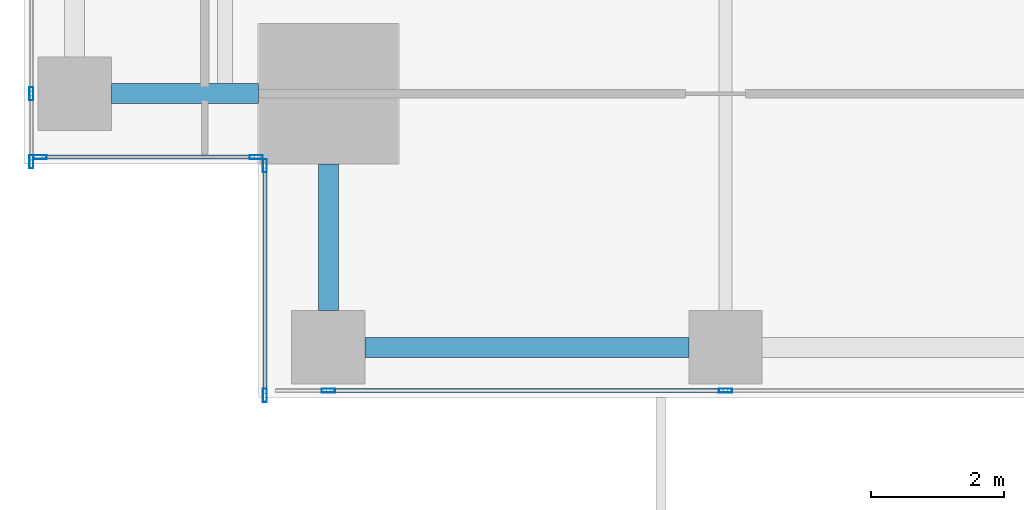
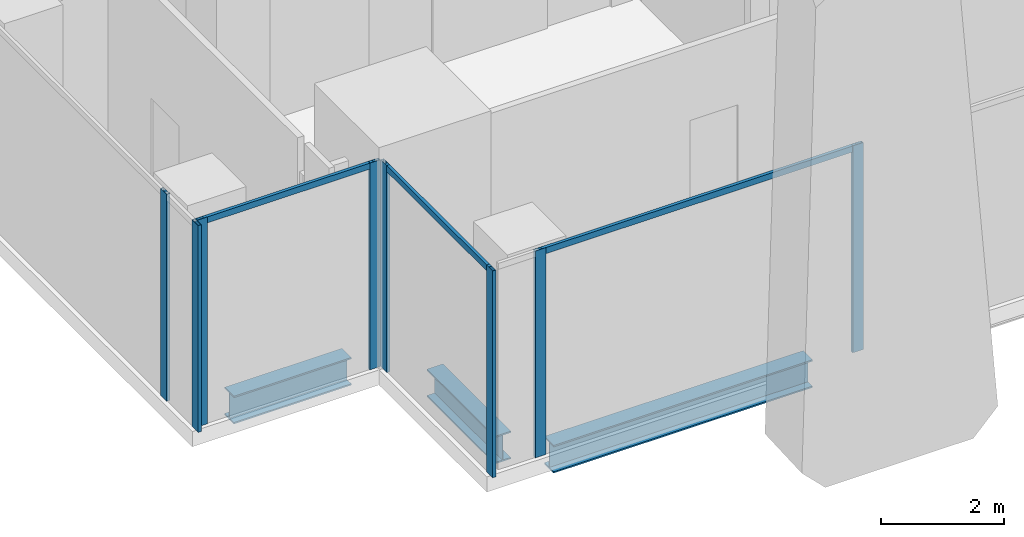
# One storey, part 2 of 35: 11 members, 3 beams, 4 elements without a shape of their own.
"""IFC4 building model written with IfcOpenShell, lengths in metres."""

from ifc_helpers import new_model, si_unit, direction, frame, origin, origin_2d, place, context, subcontext, project, spatial, hollow_rectangle, i_section, extrude, source, transform, mapped, material, material_profile, profile_set, type_object, element, aggregate, save


model = new_model("IFC4")

# Units and contexts
model_context = context("Model", 3, precision=1e-05, world=origin(), true_north=direction((0.0, 1.0)))
body_context = subcontext(model_context, "Body", "Model", "MODEL_VIEW")
ifc_project = project(units=[si_unit("LENGTHUNIT", "METRE"), si_unit("AREAUNIT", "SQUARE_METRE"), si_unit("VOLUMEUNIT", "CUBIC_METRE"), si_unit("PLANEANGLEUNIT", "RADIAN"), si_unit("MASSUNIT", "GRAM", prefix="KILO")], contexts=[model_context])

# Site, building, storey
site_placement = place(None, origin())
site = spatial("IfcSite", under=ifc_project, at=site_placement, CompositionType="ELEMENT")
building_placement = place(site_placement, origin())
building = spatial("IfcBuilding", under=site, at=building_placement, Name="Khomas Fold Tower", CompositionType="ELEMENT")
storey_placement = place(building_placement, frame((0.0, 0.0, 119.10009765625)))
storey = spatial("IfcBuildingStorey", under=building, at=storey_placement, Name="L25", CompositionType="ELEMENT", Elevation=119.10009765625)

# Beams
ifc_material_1 = material(Name="Steel S355", Category="steel")
ifc_material_profile_1 = material_profile(ifc_material_1, i_section(OverallWidth=0.300048828125, OverallDepth=0.550048828125, WebThickness=0.014892578125, FlangeThickness=0.029052734375, at=origin_2d()), Name="HE 550 B")
ifc_profile_set_1 = profile_set([ifc_material_profile_1], Name="Steel S355")
beam_type = type_object("IfcBeamType", Name="HE 550 B spandrel SB2", PredefinedType="SPANDREL", material=ifc_profile_set_1)
shared_shape_1 = source(origin(), body_context, "Body", "SweptSolid", [
    extrude(i_section(OverallWidth=0.300048828125, OverallDepth=0.550048828125, WebThickness=0.014892578125, FlangeThickness=0.029052734375, at=origin_2d()), origin(), (0.0, 0.0, 1.0), 4.849853515625),
])
beam_placement = place(storey_placement, frame((6.60009765625, 2.25, -0.5751953125), z_axis=(1.0, 0.0, 0.0), x_axis=(0.0, 1.0, 0.0)))
element("IfcBeam", 1, at=beam_placement, inside=storey, type_object=beam_type, Name="SB2", PredefinedType="SPANDREL", context=body_context, shape_type="MappedRepresentation", body=[
    mapped(shared_shape_1, transform((0.0, 0.0, 0.0))),
])
shared_shape_2 = source(origin(), body_context, "Body", "SweptSolid", [
    extrude(i_section(OverallWidth=0.300048828125, OverallDepth=0.550048828125, WebThickness=0.014892578125, FlangeThickness=0.029052734375, at=origin_2d()), origin(), (0.0, 0.0, 1.0), 2.199951171875),
])
for number, where, z_axis, x_axis, name in (
    (2, (2.800048828125, 6.050048828125, -0.5751953125), (1.0, 0.0, 0.0), (0.0, 1.0, 0.0), "SB2"),
    (3, (6.050048828125, 2.800048828125, -0.5751953125), (0.0, 1.0, 0.0), (-1.0, 0.0, 0.0), "SB2"),
):
    element("IfcBeam", number, at=place(storey_placement, frame(where, z_axis=z_axis, x_axis=x_axis)), inside=storey, type_object=beam_type, Name=name, PredefinedType="SPANDREL", context=body_context, shape_type="MappedRepresentation", body=[
        mapped(shared_shape_2, transform((0.0, 0.0, 0.0))),
    ])

# Curtain wall, member
ifc_material_2 = material(Name="Aluminium framed double glazing", Category="aluminium")
curtain_wall_type = type_object("IfcCurtainWallType", Name="SK-Unitised clear-glass wall, growing floors CW1", PredefinedType="NOTDEFINED", material=ifc_material_2)
curtain_wall_1_placement = place(storey_placement, origin())
curtain_wall_1 = element("IfcCurtainWall", 4, at=curtain_wall_1_placement, inside=storey, type_object=curtain_wall_type, Name="CW1 run L25 00-0", PredefinedType="NOTDEFINED")
ifc_material_3 = material(Name="Aluminium", Category="aluminium")
ifc_material_profile_2 = material_profile(ifc_material_3, hollow_rectangle(XDim=0.06005859375, YDim=0.1201171875, WallThickness=0.00390625, at=origin_2d()), Name="SK-Unitised clear-glass wall, growing floors transom CW1-T")
ifc_profile_set_2 = profile_set([ifc_material_profile_2], Name="Aluminium")
member_type_1 = type_object("IfcMemberType", Name="SK-Unitised clear-glass wall, growing floors transom CW1-T", PredefinedType="USERDEFINED", material=ifc_profile_set_2)
shared_shape_3 = source(origin(), body_context, "Body", "SweptSolid", [
    extrude(hollow_rectangle(XDim=0.06005859375, YDim=0.1201171875, WallThickness=0.00390625, at=origin_2d()), origin(), (0.0, 0.0, 1.0), 5.889892578125),
])
member_1_placement = place(storey_placement, frame((6.080078125, 1.60009765625, 4.039794921875), z_axis=(1.0, 0.0, 0.0), x_axis=(0.0, 1.0, 0.0)))
member_1 = element("IfcMember", 5, at=member_1_placement, type_object=member_type_1, Name="CW1 transom 2", ObjectType="TRANSOM", PredefinedType="USERDEFINED", context=body_context, shape_type="MappedRepresentation", body=[
    mapped(shared_shape_3, transform((0.0, 0.0, 0.0))),
])

curtain_wall_2_placement = place(storey_placement, origin())
curtain_wall_2 = element("IfcCurtainWall", 6, at=curtain_wall_2_placement, inside=storey, type_object=curtain_wall_type, Name="CW1 corner return L25 10", PredefinedType="NOTDEFINED")
shared_shape_4 = source(origin(), body_context, "Body", "SweptSolid", [
    extrude(hollow_rectangle(XDim=0.06005859375, YDim=0.1201171875, WallThickness=0.00390625, at=origin_2d()), origin(), (0.0, 0.0, 1.0), 3.179931640625),
])
member_2_placement = place(storey_placement, frame((1.760009765625, 5.10009765625, 4.039794921875), z_axis=(1.0, 0.0, 0.0), x_axis=(0.0, 1.0, 0.0)))
member_2 = element("IfcMember", 7, at=member_2_placement, type_object=member_type_1, Name="CW1 transom 1", ObjectType="TRANSOM", PredefinedType="USERDEFINED", context=body_context, shape_type="MappedRepresentation", body=[
    mapped(shared_shape_4, transform((0.0, 0.0, 0.0))),
])

curtain_wall_3_placement = place(storey_placement, origin())
curtain_wall_3 = element("IfcCurtainWall", 8, at=curtain_wall_3_placement, inside=storey, type_object=curtain_wall_type, Name="CW1 corner return L25 11", PredefinedType="NOTDEFINED")
shared_shape_5 = source(origin(), body_context, "Body", "SweptSolid", [
    extrude(hollow_rectangle(XDim=0.06005859375, YDim=0.1201171875, WallThickness=0.00390625, at=origin_2d()), origin(), (0.0, 0.0, 1.0), 3.3798828125),
])
member_3_placement = place(storey_placement, frame((5.10009765625, 4.93994140625, 4.039794921875), z_axis=(0.0, -1.0, 0.0), x_axis=(1.0, 0.0, 0.0)))
member_3 = element("IfcMember", 9, at=member_3_placement, type_object=member_type_1, Name="CW1 transom 1", ObjectType="TRANSOM", PredefinedType="USERDEFINED", context=body_context, shape_type="MappedRepresentation", body=[
    mapped(shared_shape_5, transform((0.0, 0.0, 0.0))),
])

# Member
ifc_material_4 = material(Name="Aluminium", Category="aluminium")
ifc_material_profile_3 = material_profile(ifc_material_4, hollow_rectangle(XDim=0.06005859375, YDim=0.199951171875, WallThickness=0.00390625, at=origin_2d()), Name="SK-Unitised clear-glass wall, growing floors mullion CW1-M")
ifc_profile_set_3 = profile_set([ifc_material_profile_3], Name="Aluminium")
member_type_2 = type_object("IfcMemberType", Name="SK-Unitised clear-glass wall, growing floors mullion CW1-M", PredefinedType="MULLION", material=ifc_profile_set_3)
shared_shape_6 = source(origin(), body_context, "Body", "SweptSolid", [
    extrude(hollow_rectangle(XDim=0.06005859375, YDim=0.199951171875, WallThickness=0.00390625, at=origin_2d()), origin(), (0.0, 0.0, 1.0), 4.099853515625),
])
member_4_placement = place(storey_placement, frame((6.050048828125, 1.60009765625, 0.0), z_axis=(0.0, 0.0, 1.0), x_axis=(0.0, 1.0, 0.0)))
member_4 = element("IfcMember", 10, at=member_4_placement, type_object=member_type_2, Name="CW1 mullion 2", PredefinedType="MULLION", context=body_context, shape_type="MappedRepresentation", body=[
    mapped(shared_shape_6, transform((0.0, 0.0, 0.0))),
])

member_5_placement = place(storey_placement, frame((12.0, 1.60009765625, 0.0), z_axis=(0.0, 0.0, 1.0), x_axis=(0.0, 1.0, 0.0)))
member_5 = element("IfcMember", 11, at=member_5_placement, type_object=member_type_2, Name="CW1 mullion 3", PredefinedType="MULLION", context=body_context, shape_type="MappedRepresentation", body=[
    mapped(shared_shape_6, transform((0.0, 0.0, 0.0))),
])

aggregate(curtain_wall_1, [member_4, member_5, member_1])

# Curtain wall, members
curtain_wall_4_placement = place(storey_placement, origin())
curtain_wall_4 = element("IfcCurtainWall", 12, at=curtain_wall_4_placement, inside=storey, type_object=curtain_wall_type, Name="CW1 run L25 09-1", PredefinedType="NOTDEFINED")
member_6_placement = place(storey_placement, frame((1.60009765625, 6.050048828125, 0.0), z_axis=(0.0, 0.0, 1.0), x_axis=(1.0, 0.0, 0.0)))
member_6 = element("IfcMember", 13, at=member_6_placement, type_object=member_type_2, Name="CW1 mullion 3", PredefinedType="MULLION", context=body_context, shape_type="MappedRepresentation", body=[
    mapped(shared_shape_6, transform((0.0, 0.0, 0.0))),
])
member_7_placement = place(storey_placement, frame((1.60009765625, 5.030029296875, 0.0), z_axis=(0.0, 0.0, 1.0), x_axis=(1.0, 0.0, 0.0)))
member_7 = element("IfcMember", 14, at=member_7_placement, type_object=member_type_2, Name="CW1 mullion 4", PredefinedType="MULLION", context=body_context, shape_type="MappedRepresentation", body=[
    mapped(shared_shape_6, transform((0.0, 0.0, 0.0))),
])
aggregate(curtain_wall_4, [member_6, member_7])

# Member
member_8_placement = place(storey_placement, frame((1.72998046875, 5.10009765625, 0.0), z_axis=(0.0, 0.0, 1.0), x_axis=(0.0, 1.0, 0.0)))
member_8 = element("IfcMember", 15, at=member_8_placement, type_object=member_type_2, Name="CW1 mullion 1", PredefinedType="MULLION", context=body_context, shape_type="MappedRepresentation", body=[
    mapped(shared_shape_6, transform((0.0, 0.0, 0.0))),
])

member_9_placement = place(storey_placement, frame((4.969970703125, 5.10009765625, 0.0), z_axis=(0.0, 0.0, 1.0), x_axis=(0.0, 1.0, 0.0)))
member_9 = element("IfcMember", 16, at=member_9_placement, type_object=member_type_2, Name="CW1 mullion 2", PredefinedType="MULLION", context=body_context, shape_type="MappedRepresentation", body=[
    mapped(shared_shape_6, transform((0.0, 0.0, 0.0))),
])

aggregate(curtain_wall_2, [member_8, member_9, member_2])

member_10_placement = place(storey_placement, frame((5.10009765625, 4.969970703125, 0.0), z_axis=(0.0, 0.0, 1.0), x_axis=(1.0, 0.0, 0.0)))
member_10 = element("IfcMember", 17, at=member_10_placement, type_object=member_type_2, Name="CW1 mullion 1", PredefinedType="MULLION", context=body_context, shape_type="MappedRepresentation", body=[
    mapped(shared_shape_6, transform((0.0, 0.0, 0.0))),
])

member_11_placement = place(storey_placement, frame((5.10009765625, 1.530029296875, 0.0), z_axis=(0.0, 0.0, 1.0), x_axis=(1.0, 0.0, 0.0)))
member_11 = element("IfcMember", 18, at=member_11_placement, type_object=member_type_2, Name="CW1 mullion 2", PredefinedType="MULLION", context=body_context, shape_type="MappedRepresentation", body=[
    mapped(shared_shape_6, transform((0.0, 0.0, 0.0))),
])

aggregate(curtain_wall_3, [member_10, member_11, member_3])

save(model, "model.ifc")
